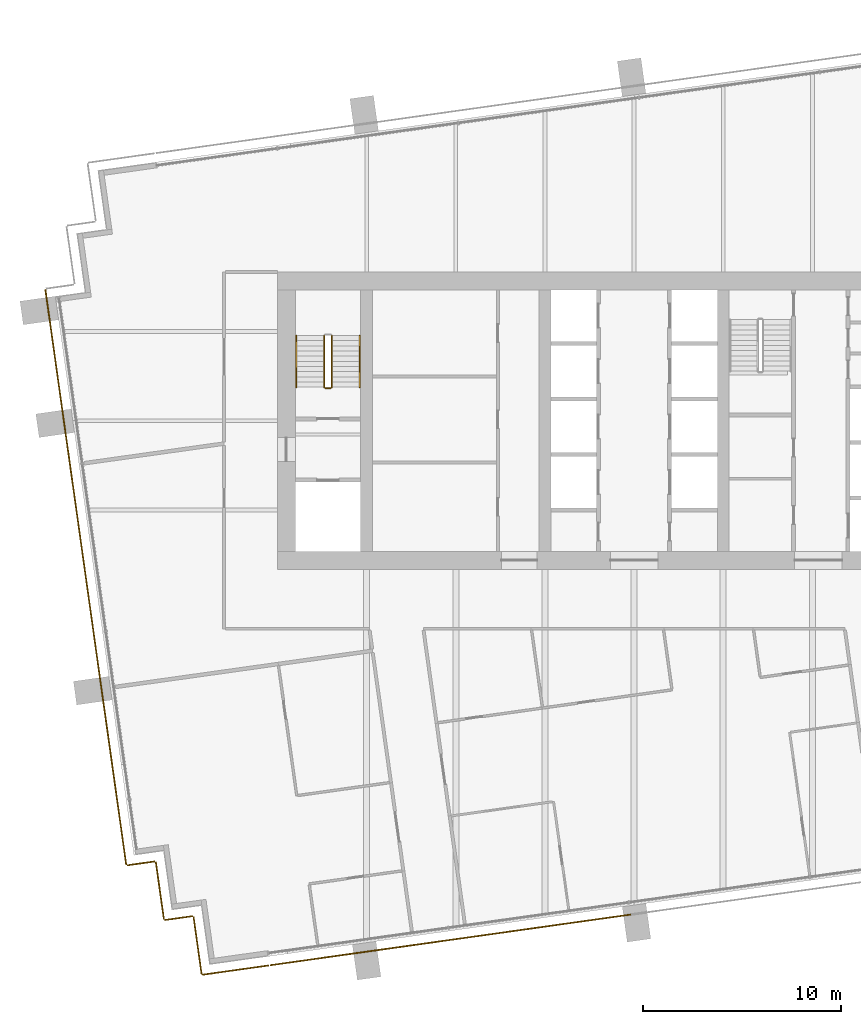
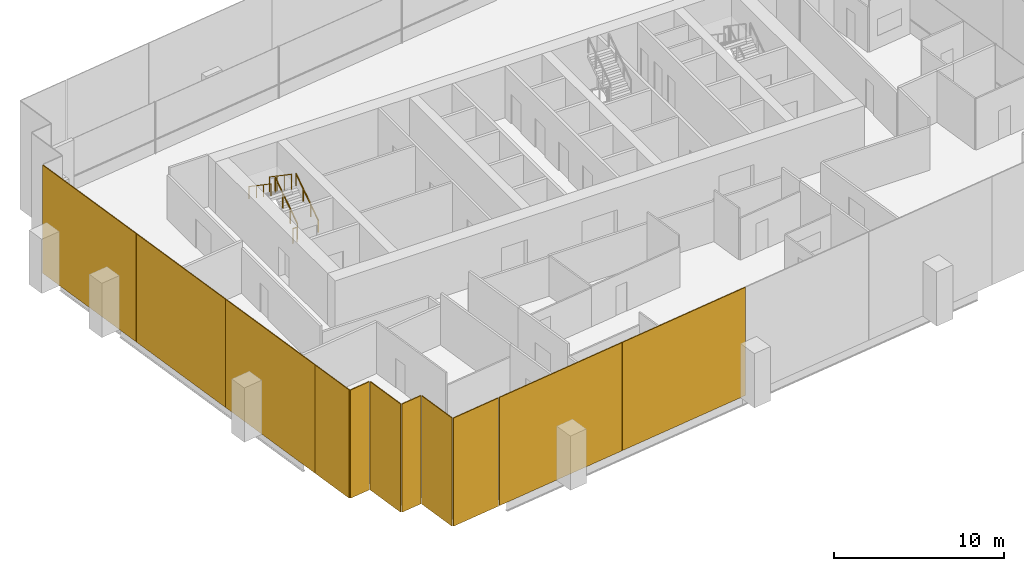
# One storey, part 13 of 17: 11 coverings, 5 railings.
"""IFC4 building model written with IfcOpenShell, lengths in metres."""

from ifc_helpers import new_model, si_unit, direction, frame, origin, origin_2d, place, context, subcontext, project, spatial, rectangle, extrude, material, layer, layer_set, type_object, element, save


model = new_model("IFC4")

# Units and contexts
model_context = context("Model", 3, precision=1e-05, world=origin(), true_north=direction((0.0, 1.0)))
body_context = subcontext(model_context, "Body", "Model", "MODEL_VIEW")
ifc_project = project(units=[si_unit("LENGTHUNIT", "METRE"), si_unit("AREAUNIT", "SQUARE_METRE"), si_unit("VOLUMEUNIT", "CUBIC_METRE"), si_unit("PLANEANGLEUNIT", "RADIAN"), si_unit("MASSUNIT", "GRAM", prefix="KILO")], contexts=[model_context])

# Site, building, storey
site_placement = place(None, origin())
site = spatial("IfcSite", under=ifc_project, at=site_placement, CompositionType="ELEMENT")
building_placement = place(site_placement, origin())
building = spatial("IfcBuilding", under=site, at=building_placement, Name="Rattan Terrace Tower", CompositionType="ELEMENT")
storey_placement = place(building_placement, frame((0.0, 0.0, 180.199951171875)))
storey = spatial("IfcBuildingStorey", under=building, at=storey_placement, Name="L41", CompositionType="ELEMENT", Elevation=180.199951171875)

# Railings
ifc_material_1 = material(Name="Powder-coated steel guard", Category="steel")
railing_type_1 = type_object("IfcRailingType", Name="Core stair guard", PredefinedType="GUARDRAIL", material=ifc_material_1)
railing_1_placement = place(storey_placement, frame((-15.25, 1.699951171875, 0.17724609375)))
element("IfcRailing", 1, at=railing_1_placement, inside=storey, type_object=railing_type_1, Name="L41 S1 stair guard 1", PredefinedType="GUARDRAIL", context=body_context, shape_type="SweptSolid", body=[
    extrude(rectangle(XDim=0.048095703125, YDim=0.048095703125, at=origin_2d()), frame((0.0, 0.0, 1.076171875), z_axis=(0.0, 0.826240473404, 0.563317565952), x_axis=(-1.0, 0.0, 0.0)), (0.0, 0.0, 1.0), 3.14697265625),
    extrude(rectangle(XDim=0.0419921875, YDim=0.0419921875, at=origin_2d()), origin(), (0.0, 0.0, 1.0), 1.052001953125),
    extrude(rectangle(XDim=0.0419921875, YDim=0.0419921875, at=origin_2d()), frame((0.0, 0.86669921875, 0.5908203125)), (0.0, 0.0, 1.0), 1.052001953125),
    extrude(rectangle(XDim=0.0419921875, YDim=0.0419921875, at=origin_2d()), frame((0.0, 1.7333984375, 1.181884765625)), (0.0, 0.0, 1.0), 1.052001953125),
    extrude(rectangle(XDim=0.0419921875, YDim=0.0419921875, at=origin_2d()), frame((0.0, 2.60009765625, 1.772705078125)), (0.0, 0.0, 1.0), 1.052001953125),
])
railing_2_placement = place(storey_placement, frame((-15.64990234375, 4.300048828125, 2.12744140625)))
element("IfcRailing", 2, at=railing_2_placement, inside=storey, type_object=railing_type_1, Name="L41 S1 stair guard 3", PredefinedType="GUARDRAIL", context=body_context, shape_type="SweptSolid", body=[
    extrude(rectangle(XDim=0.048095703125, YDim=0.048095703125, at=origin_2d()), frame((0.0, 0.0, 1.076171875), z_axis=(0.0, -0.826240473404, 0.563317565952), x_axis=(1.0, 0.0, 0.0)), (0.0, 0.0, 1.0), 3.14697265625),
    extrude(rectangle(XDim=0.0419921875, YDim=0.0419921875, at=origin_2d()), origin(), (0.0, 0.0, 1.0), 1.052001953125),
    extrude(rectangle(XDim=0.0419921875, YDim=0.0419921875, at=origin_2d()), frame((0.0, -0.86669921875, 0.5908203125)), (0.0, 0.0, 1.0), 1.052001953125),
    extrude(rectangle(XDim=0.0419921875, YDim=0.0419921875, at=origin_2d()), frame((0.0, -1.7333984375, 1.181884765625)), (0.0, 0.0, 1.0), 1.052001953125),
    extrude(rectangle(XDim=0.0419921875, YDim=0.0419921875, at=origin_2d()), frame((0.0, -2.60009765625, 1.772705078125)), (0.0, 0.0, 1.0), 1.052001953125),
])
railing_3_placement = place(storey_placement, frame((-15.300048828125, 1.64990234375, 0.0)))
element("IfcRailing", 3, at=railing_3_placement, inside=storey, type_object=railing_type_1, Name="L41 S1 stair guard 4", PredefinedType="GUARDRAIL", context=body_context, shape_type="SweptSolid", body=[
    extrude(rectangle(XDim=0.048095703125, YDim=0.048095703125, at=origin_2d()), frame((0.0, 0.0, 1.076171875), z_axis=(-1.0, 0.0, 0.0), x_axis=(0.0, -1.0, 0.0)), (0.0, 0.0, 1.0), 0.300048828125),
    extrude(rectangle(XDim=0.0419921875, YDim=0.0419921875, at=origin_2d()), origin(), (0.0, 0.0, 1.0), 1.052001953125),
    extrude(rectangle(XDim=0.0419921875, YDim=0.0419921875, at=origin_2d()), frame((-0.300048828125, 0.0, 0.0)), (0.0, 0.0, 1.0), 1.052001953125),
])
ifc_material_2 = material(Name="Powder-coated steel handrail", Category="steel")
railing_type_2 = type_object("IfcRailingType", Name="Core stair handrail", PredefinedType="HANDRAIL", material=ifc_material_2)
railing_4_placement = place(storey_placement, frame((-13.85009765625, 1.699951171875, 0.17724609375)))
element("IfcRailing", 4, at=railing_4_placement, inside=storey, type_object=railing_type_2, Name="L41 S1 stair handrail 1", PredefinedType="HANDRAIL", context=body_context, shape_type="SweptSolid", body=[
    extrude(rectangle(XDim=0.048095703125, YDim=0.048095703125, at=origin_2d()), frame((0.0, 0.0, 0.8759765625), z_axis=(0.0, 0.826240473404, 0.563317565952), x_axis=(-1.0, 0.0, 0.0)), (0.0, 0.0, 1.0), 3.14697265625),
    extrude(rectangle(XDim=0.0419921875, YDim=0.0419921875, at=origin_2d()), origin(), (0.0, 0.0, 1.0), 0.851806640625),
    extrude(rectangle(XDim=0.0419921875, YDim=0.0419921875, at=origin_2d()), frame((0.0, 0.86669921875, 0.5908203125)), (0.0, 0.0, 1.0), 0.851806640625),
    extrude(rectangle(XDim=0.0419921875, YDim=0.0419921875, at=origin_2d()), frame((0.0, 1.7333984375, 1.181884765625)), (0.0, 0.0, 1.0), 0.851806640625),
    extrude(rectangle(XDim=0.0419921875, YDim=0.0419921875, at=origin_2d()), frame((0.0, 2.60009765625, 1.772705078125)), (0.0, 0.0, 1.0), 0.851806640625),
])
railing_5_placement = place(storey_placement, frame((-17.050048828125, 4.300048828125, 2.12744140625)))
element("IfcRailing", 5, at=railing_5_placement, inside=storey, type_object=railing_type_2, Name="L41 S1 stair handrail 2", PredefinedType="HANDRAIL", context=body_context, shape_type="SweptSolid", body=[
    extrude(rectangle(XDim=0.048095703125, YDim=0.048095703125, at=origin_2d()), frame((0.0, 0.0, 0.8759765625), z_axis=(0.0, -0.826240473404, 0.563317565952), x_axis=(1.0, 0.0, 0.0)), (0.0, 0.0, 1.0), 3.14697265625),
    extrude(rectangle(XDim=0.0419921875, YDim=0.0419921875, at=origin_2d()), origin(), (0.0, 0.0, 1.0), 0.851806640625),
    extrude(rectangle(XDim=0.0419921875, YDim=0.0419921875, at=origin_2d()), frame((0.0, -0.86669921875, 0.5908203125)), (0.0, 0.0, 1.0), 0.851806640625),
    extrude(rectangle(XDim=0.0419921875, YDim=0.0419921875, at=origin_2d()), frame((0.0, -1.7333984375, 1.181884765625)), (0.0, 0.0, 1.0), 0.851806640625),
    extrude(rectangle(XDim=0.0419921875, YDim=0.0419921875, at=origin_2d()), frame((0.0, -2.60009765625, 1.772705078125)), (0.0, 0.0, 1.0), 0.851806640625),
])

# Coverings
ifc_material_3 = material(Name="Perforated terracotta", Category="masonry")
ifc_layer = layer(ifc_material_3, 0.06005859375)
ifc_layer_set = layer_set([ifc_layer], Name="Facade Terracotta Screen Panel")
covering_type = type_object("IfcCoveringType", Name="Facade Terracotta Screen Panel", PredefinedType="CLADDING", material=ifc_layer_set)
covering_1_placement = place(storey_placement, frame((-29.095703125, 2.19580078125, -0.18994140625), z_axis=(0.0, 0.0, 1.0), x_axis=(0.139190856006, -0.99026557327, 0.0)))
element("IfcCovering", 6, at=covering_1_placement, inside=storey, type_object=covering_type, Name="OUTER SKIN panel L41-25", PredefinedType="CLADDING", context=body_context, shape_type="SweptSolid", body=[
    extrude(rectangle(XDim=8.949951171875, YDim=0.06005859375, at=origin_2d()), origin(), (0.0, 0.0, 1.0), 7.780029296875),
])
for number, where, z_axis, x_axis, name in (
    (7, (-27.87646484375, -6.478759765625, -0.18994140625), (0.0, 0.0, 1.0), (0.139190856006, -0.99026557327, 0.0), "OUTER SKIN panel L41-26"),
    (8, (-26.6865234375, -14.945556640625, -0.18994140625), (0.0, 0.0, 1.0), (0.139190856006, -0.99026557327, 0.0), "OUTER SKIN panel L41-27"),
):
    element("IfcCovering", number, at=place(storey_placement, frame(where, z_axis=z_axis, x_axis=x_axis)), inside=storey, type_object=covering_type, Name=name, PredefinedType="CLADDING", context=body_context, shape_type="SweptSolid", body=[
        extrude(rectangle(XDim=8.530029296875, YDim=0.06005859375, at=origin_2d()), origin(), (0.0, 0.0, 1.0), 7.780029296875),
    ])
covering_2_placement = place(storey_placement, frame((-25.86376953125, -20.79833984375, -0.18994140625), z_axis=(0.0, 0.0, 1.0), x_axis=(0.139190856006, -0.99026557327, 0.0)))
element("IfcCovering", 9, at=covering_2_placement, inside=storey, type_object=covering_type, Name="OUTER SKIN panel L41-28", PredefinedType="CLADDING", context=body_context, shape_type="SweptSolid", body=[
    extrude(rectangle(XDim=3.25048828125, YDim=0.06005859375, at=origin_2d()), origin(), (0.0, 0.0, 1.0), 7.780029296875),
])
covering_3_placement = place(storey_placement, frame((-24.889404296875, -22.3427734375, -0.18994140625), z_axis=(0.0, 0.0, 1.0), x_axis=(0.990240767803, 0.139367219175, 0.0)))
element("IfcCovering", 10, at=covering_3_placement, inside=storey, type_object=covering_type, Name="OUTER SKIN panel L41-29", PredefinedType="CLADDING", context=body_context, shape_type="SweptSolid", body=[
    extrude(rectangle(XDim=1.419677734375, YDim=0.06005859375, at=origin_2d()), origin(), (0.0, 0.0, 1.0), 7.780029296875),
])
covering_4_placement = place(storey_placement, frame((-23.93798828125, -23.723876953125, -0.18994140625), z_axis=(0.0, 0.0, 1.0), x_axis=(0.139321220646, -0.990247240581, 0.0)))
element("IfcCovering", 11, at=covering_4_placement, inside=storey, type_object=covering_type, Name="OUTER SKIN panel L41-30", PredefinedType="CLADDING", context=body_context, shape_type="SweptSolid", body=[
    extrude(rectangle(XDim=2.920166015625, YDim=0.06005859375, at=origin_2d()), origin(), (0.0, 0.0, 1.0), 7.780029296875),
])
covering_5_placement = place(storey_placement, frame((-22.986328125, -25.104736328125, -0.18994140625), z_axis=(0.0, 0.0, 1.0), x_axis=(0.990240767803, 0.139367219175, 0.0)))
element("IfcCovering", 12, at=covering_5_placement, inside=storey, type_object=covering_type, Name="OUTER SKIN panel L41-31", PredefinedType="CLADDING", context=body_context, shape_type="SweptSolid", body=[
    extrude(rectangle(XDim=1.419677734375, YDim=0.06005859375, at=origin_2d()), origin(), (0.0, 0.0, 1.0), 7.780029296875),
])
covering_6_placement = place(storey_placement, frame((-22.034912109375, -26.48583984375, -0.18994140625), z_axis=(0.0, 0.0, 1.0), x_axis=(0.139321220646, -0.990247240581, 0.0)))
element("IfcCovering", 13, at=covering_6_placement, inside=storey, type_object=covering_type, Name="OUTER SKIN panel L41-32", PredefinedType="CLADDING", context=body_context, shape_type="SweptSolid", body=[
    extrude(rectangle(XDim=2.920166015625, YDim=0.06005859375, at=origin_2d()), origin(), (0.0, 0.0, 1.0), 7.780029296875),
])
covering_7_placement = place(storey_placement, frame((-20.1181640625, -27.73095703125, -0.18994140625), z_axis=(0.0, 0.0, 1.0), x_axis=(0.990240767803, 0.139367219175, 0.0)))
element("IfcCovering", 14, at=covering_7_placement, inside=storey, type_object=covering_type, Name="OUTER SKIN panel L41-33", PredefinedType="CLADDING", context=body_context, shape_type="SweptSolid", body=[
    extrude(rectangle(XDim=3.369140625, YDim=0.06005859375, at=origin_2d()), origin(), (0.0, 0.0, 1.0), 7.780029296875),
])
covering_8_placement = place(storey_placement, frame((-13.833740234375, -26.847412109375, -0.18994140625), z_axis=(0.0, 0.0, 1.0), x_axis=(0.990269702686, 0.139161474347, 0.0)))
element("IfcCovering", 15, at=covering_8_placement, inside=storey, type_object=covering_type, Name="OUTER SKIN panel L41-34", PredefinedType="CLADDING", context=body_context, shape_type="SweptSolid", body=[
    extrude(rectangle(XDim=9.162841796875, YDim=0.06005859375, at=origin_2d()), origin(), (0.0, 0.0, 1.0), 7.780029296875),
])
covering_9_placement = place(storey_placement, frame((-4.725341796875, -25.5673828125, -0.18994140625), z_axis=(0.0, 0.0, 1.0), x_axis=(0.990269702686, 0.139161474347, 0.0)))
element("IfcCovering", 16, at=covering_9_placement, inside=storey, type_object=covering_type, Name="OUTER SKIN panel L41-35", PredefinedType="CLADDING", context=body_context, shape_type="SweptSolid", body=[
    extrude(rectangle(XDim=9.193115234375, YDim=0.06005859375, at=origin_2d()), origin(), (0.0, 0.0, 1.0), 7.780029296875),
])

save(model, "model.ifc")
